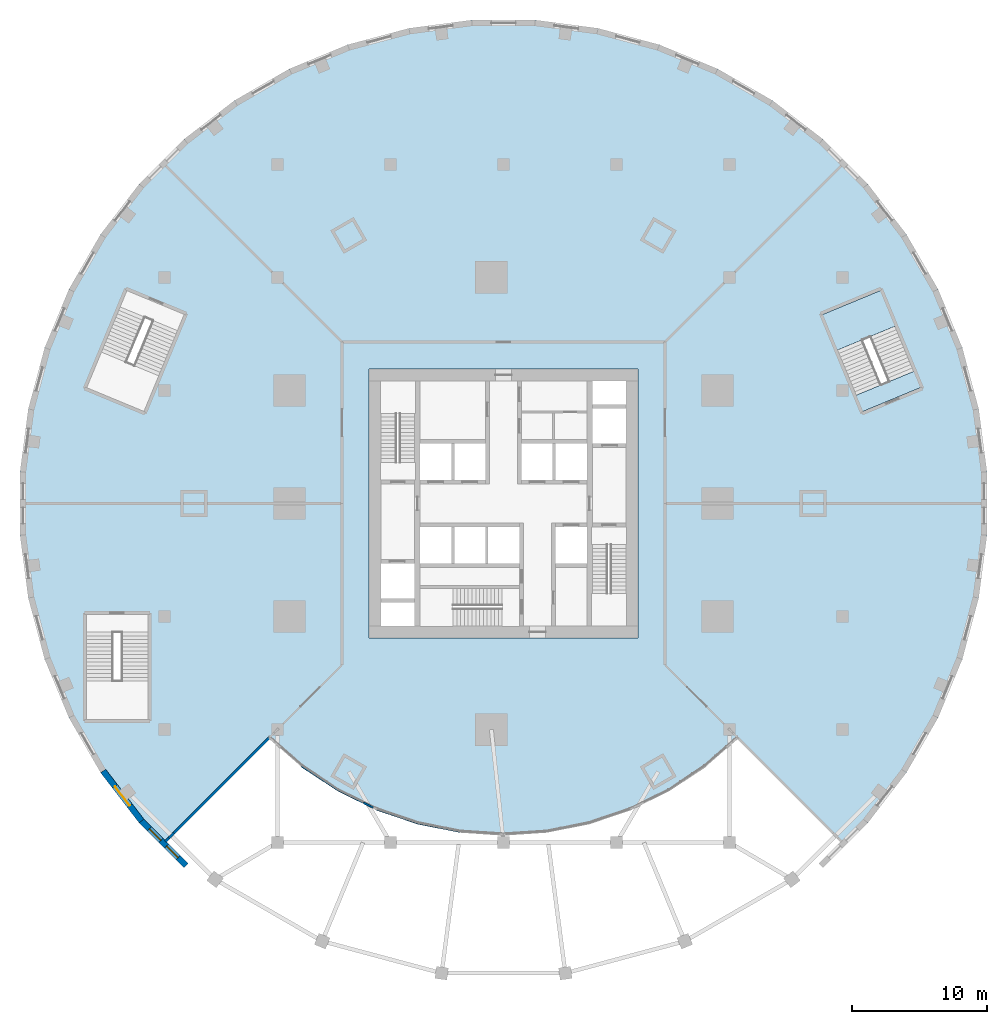
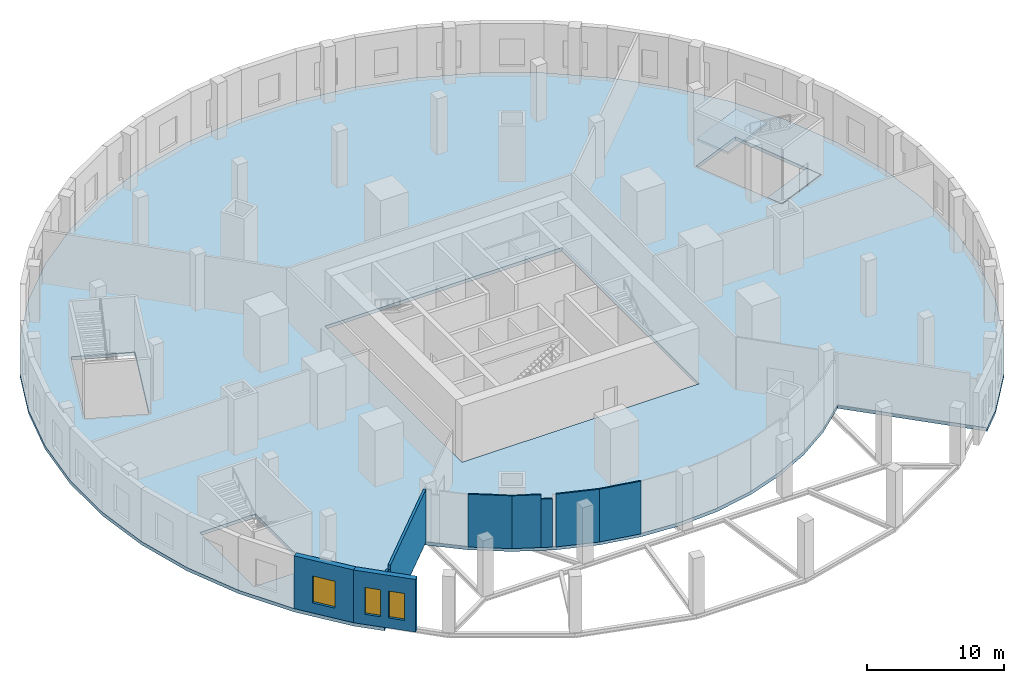
# One storey, part 2 of 11: 10 walls, 3 slabs, 3 windows, 3 openings, 1 element without a shape of its own.
"""IFC4 building model written with IfcOpenShell, lengths in metres."""

from ifc_helpers import new_model, si_unit, direction, frame, frame_2d, origin, place, context, subcontext, project, spatial, polyline, rectangle, outline, extrude, material, layer, layer_set, type_object, element, fill, aggregate, save


model = new_model("IFC4")

# Units and contexts
model_context = context("Model", 3, precision=1e-05, world=origin(), true_north=direction((0.0, 1.0)))
body_context = subcontext(model_context, "Body", "Model", "MODEL_VIEW")
ifc_project = project(units=[si_unit("LENGTHUNIT", "METRE"), si_unit("AREAUNIT", "SQUARE_METRE"), si_unit("VOLUMEUNIT", "CUBIC_METRE"), si_unit("PLANEANGLEUNIT", "RADIAN"), si_unit("MASSUNIT", "GRAM", prefix="KILO")], contexts=[model_context])

# Site, building, storey
site_placement = place(None, origin())
site = spatial("IfcSite", under=ifc_project, at=site_placement, CompositionType="ELEMENT")
building_placement = place(site_placement, origin())
building = spatial("IfcBuilding", under=site, at=building_placement, Name="Golbaran Civic Tower", CompositionType="ELEMENT")
storey_placement = place(building_placement, frame((0.0, 0.0, 11.0)))
storey = spatial("IfcBuildingStorey", under=building, at=storey_placement, Name="L02", CompositionType="ELEMENT", Elevation=11.0)

# Slab
ifc_material_1 = material(Name="Concrete C35/45", Category="concrete")
ifc_layer_1 = layer(ifc_material_1, 0.300048828125, Name="Concrete C35/45")
ifc_layer_set_1 = layer_set([ifc_layer_1], Name="Concrete C35/45")
slab_type_1 = type_object("IfcSlabType", Name="PODIUM FLOOR SLAB 300", PredefinedType="FLOOR", material=ifc_layer_set_1)
slab_1_placement = place(storey_placement, frame((0.0, 0.0, -0.300048828125)))
element("IfcSlab", 1, at=slab_1_placement, inside=storey, type_object=slab_type_1, Name="Podium floor slab L02", PredefinedType="FLOOR", context=body_context, shape_type="SweptSolid", body=[
    extrude(outline(polyline([(32.287353515625, -15.92236328125), (29.932861328125, -20.00048828125), (27.066162109375, -23.736328125), (25.4013671875, -25.4013671875), (17.394775390625, -17.394775390625), (14.9755859375, -19.5166015625), (12.300048828125, -21.30419921875), (9.4140625, -22.7275390625), (6.366943359375, -23.76171875), (3.2109375, -24.3896484375), (0.0, -24.60009765625), (-3.2109375, -24.3896484375), (-6.366943359375, -23.76171875), (-9.4140625, -22.7275390625), (-12.300048828125, -21.30419921875), (-14.9755859375, -19.5166015625), (-17.394775390625, -17.394775390625), (-25.4013671875, -25.4013671875), (-27.066162109375, -23.736328125), (-29.932861328125, -20.00048828125), (-32.287353515625, -15.92236328125), (-34.089599609375, -11.57177734375), (-35.308349609375, -7.023193359375), (-35.9228515625, -2.3544921875), (-35.9228515625, 2.3544921875), (-35.308349609375, 7.023193359375), (-34.089599609375, 11.57177734375), (-32.287353515625, 15.92236328125), (-29.932861328125, 20.00048828125), (-27.066162109375, 23.736328125), (-23.736328125, 27.066162109375), (-20.00048828125, 29.932861328125), (-15.92236328125, 32.287353515625), (-11.57177734375, 34.089599609375), (-7.023193359375, 35.308349609375), (-2.3544921875, 35.9228515625), (2.3544921875, 35.9228515625), (7.023193359375, 35.308349609375), (11.57177734375, 34.089599609375), (15.92236328125, 32.287353515625), (20.00048828125, 29.932861328125), (23.736328125, 27.066162109375), (27.066162109375, 23.736328125), (29.932861328125, 20.00048828125), (32.287353515625, 15.92236328125), (34.089599609375, 11.57177734375), (35.308349609375, 7.023193359375), (35.9228515625, 2.3544921875), (35.9228515625, -2.3544921875), (35.308349609375, -7.023193359375), (34.089599609375, -11.57177734375), (32.287353515625, -15.92236328125)]), holes=[polyline([(31.042724609375, 8.572021484375), (28.01171875, 15.88916015625), (23.651123046875, 14.082763671875), (26.681884765625, 6.765625), (31.042724609375, 8.572021484375)]), polyline([(10.0, -10.0), (10.0, 10.0), (-10.0, 10.0), (-10.0, -10.0), (10.0, -10.0)]), polyline([(-28.01171875, 15.88916015625), (-31.042724609375, 8.572021484375), (-26.681884765625, 6.765625), (-23.651123046875, 14.082763671875), (-28.01171875, 15.88916015625)]), polyline([(-31.06005859375, -16.110107421875), (-26.340087890625, -16.110107421875), (-26.340087890625, -8.18994140625), (-31.06005859375, -8.18994140625), (-31.06005859375, -16.110107421875)])]), origin(), (0.0, 0.0, 1.0), 0.300048828125),
])

# Stair, slab
stair_type = type_object("IfcStairType", Name="EXIT STAIR 4600 x 7800, 5000 RISE", PredefinedType="HALF_TURN_STAIR", material=ifc_material_1)
stair_placement = place(storey_placement, origin())
stair = element("IfcStair", 2, at=stair_placement, inside=storey, type_object=stair_type, Name="Stair P1 L02", PredefinedType="HALF_TURN_STAIR")
ifc_layer_2 = layer(ifc_material_1, 0.199951171875, Name="Concrete C35/45")
ifc_layer_set_2 = layer_set([ifc_layer_2], Name="Concrete C35/45")
slab_type_2 = type_object("IfcSlabType", Name="STAIR LANDING 200", PredefinedType="LANDING", material=ifc_layer_set_2)
slab_2_placement = place(storey_placement, frame((0.0, 0.0, 2.300048828125)))
slab_2 = element("IfcSlab", 3, at=slab_2_placement, type_object=slab_type_2, Name="ST46078-50 landing 1", PredefinedType="LANDING", context=body_context, shape_type="SweptSolid", body=[
    extrude(outline(polyline([(24.779541015625, 11.38427734375), (23.683349609375, 14.03125), (28.025390625, 15.829833984375), (29.121826171875, 13.182861328125), (24.779541015625, 11.38427734375)])), origin(), (0.0, 0.0, 1.0), 0.199951171875),
])
aggregate(stair, [slab_2])

# Slab
slab_3_placement = place(storey_placement, frame((0.0, 0.0, -0.199951171875)))
element("IfcSlab", 4, at=slab_3_placement, inside=storey, type_object=slab_type_2, Name="Stair P1 floor landing L02", PredefinedType="LANDING", context=body_context, shape_type="SweptSolid", body=[
    extrude(outline(polyline([(26.668212890625, 6.824951171875), (26.168701171875, 8.03076171875), (30.510986328125, 9.829345703125), (31.010498046875, 8.62353515625), (26.668212890625, 6.824951171875)])), origin(), (0.0, 0.0, 1.0), 0.199951171875),
])

# Walls
ifc_material_2 = material(Name="Glazed screen on steel framing", Category="steel")
ifc_layer_3 = layer(ifc_material_2, 0.1201171875, Name="Glazed screen on steel framing")
ifc_layer_set_3 = layer_set([ifc_layer_3], Name="Glazed screen on steel framing")
wall_type_1 = type_object("IfcWallType", Name="GLAZED SCREEN PARTITION 120", PredefinedType="PARTITIONING", material=ifc_layer_set_3)
wall_1_placement = place(storey_placement, frame((-14.97998046875, -19.52001953125, 0.0), z_axis=(0.0, 0.0, 1.0), x_axis=(0.832994734858, -0.553280915719, 0.0)))
element("IfcWall", 5, at=wall_1_placement, inside=storey, type_object=wall_type_1, Name="Podium partition L02", PredefinedType="PARTITIONING", context=body_context, shape_type="SweptSolid", body=[
    extrude(rectangle(XDim=3.21728515625, YDim=0.1201171875, at=frame_2d((1.608642578125, 0.0))), origin(), (0.0, 0.0, 1.0), 4.699951171875),
])
wall_2_placement = place(storey_placement, frame((-12.300048828125, -21.300048828125, 0.0), z_axis=(0.0, 0.0, 1.0), x_axis=(0.896913641042, -0.442205744551, 0.0)))
element("IfcWall", 6, at=wall_2_placement, inside=storey, type_object=wall_type_1, Name="Podium partition L02", PredefinedType="PARTITIONING", context=body_context, shape_type="SweptSolid", body=[
    extrude(rectangle(XDim=2.109130859375, YDim=0.1201171875, at=frame_2d((1.0546875, 0.0))), origin(), (0.0, 0.0, 1.0), 4.699951171875),
])
wall_3_placement = place(storey_placement, frame((-10.408447265625, -22.232666015625, 0.0), z_axis=(0.0, 0.0, 1.0), x_axis=(0.896921584296, -0.442189633103, 0.0)))
element("IfcWall", 7, at=wall_3_placement, inside=storey, type_object=wall_type_1, Name="Podium partition L02 under the beam over", PredefinedType="PARTITIONING", context=body_context, shape_type="SweptSolid", body=[
    extrude(rectangle(XDim=0.8369140625, YDim=0.1201171875, at=frame_2d((0.41845703125, 0.0))), origin(), (0.0, 0.0, 1.0), 4.300048828125),
])
wall_4_placement = place(storey_placement, frame((-9.419921875, -22.719970703125, 0.0), z_axis=(0.0, 0.0, 1.0), x_axis=(0.946800830057, -0.321820117773, 0.0)))
element("IfcWall", 8, at=wall_4_placement, inside=storey, type_object=wall_type_1, Name="Podium partition L02", PredefinedType="PARTITIONING", context=body_context, shape_type="SweptSolid", body=[
    extrude(rectangle(XDim=3.231689453125, YDim=0.1201171875, at=frame_2d((1.61572265625, 0.0))), origin(), (0.0, 0.0, 1.0), 4.699951171875),
])
wall_5_placement = place(storey_placement, frame((-6.360107421875, -23.760009765625, 0.0), z_axis=(0.0, 0.0, 1.0), x_axis=(0.98106754531, -0.193665876033, 0.0)))
element("IfcWall", 9, at=wall_5_placement, inside=storey, type_object=wall_type_1, Name="Podium partition L02", PredefinedType="PARTITIONING", context=body_context, shape_type="SweptSolid", body=[
    extrude(rectangle(XDim=3.20068359375, YDim=0.1201171875, at=frame_2d((1.600341796875, 0.0))), origin(), (0.0, 0.0, 1.0), 4.699951171875),
])
ifc_material_3 = material(Name="Concrete block, plastered", Category="concrete")
ifc_layer_4 = layer(ifc_material_3, 0.199951171875, Name="Concrete block, plastered")
ifc_layer_set_4 = layer_set([ifc_layer_4], Name="Concrete block, plastered")
wall_type_2 = type_object("IfcWallType", Name="PODIUM PARTITION 200", PredefinedType="PARTITIONING", material=ifc_layer_set_4)
wall_6_placement = place(storey_placement, frame((-24.486328125, -24.486328125, 0.0), z_axis=(0.0, 0.0, 1.0), x_axis=(0.707106781187, 0.707106781187, 0.0)))
element("IfcWall", 10, at=wall_6_placement, inside=storey, type_object=wall_type_2, Name="Podium partition L02", PredefinedType="PARTITIONING", context=body_context, shape_type="SweptSolid", body=[
    extrude(rectangle(XDim=10.021728515625, YDim=0.199951171875, at=frame_2d((5.0107421875, 0.0))), origin(), (0.0, 0.0, 1.0), 4.699951171875),
])
wall_7_placement = place(storey_placement, frame((-24.8681640625, -24.8681640625, 0.0), z_axis=(0.0, 0.0, 1.0), x_axis=(0.707106781187, 0.707106781187, 0.0)))
element("IfcWall", 11, at=wall_7_placement, inside=storey, type_object=wall_type_2, Name="Podium partition L02 under the beam over", PredefinedType="PARTITIONING", context=body_context, shape_type="SweptSolid", body=[
    extrude(rectangle(XDim=0.5400390625, YDim=0.199951171875, at=frame_2d((0.27001953125, 0.0))), origin(), (0.0, 0.0, 1.0), 4.300048828125),
])
wall_8_placement = place(storey_placement, frame((-25.1201171875, -25.1201171875, 0.0), z_axis=(0.0, 0.0, 1.0), x_axis=(0.707106781187, 0.707106781187, 0.0)))
element("IfcWall", 12, at=wall_8_placement, inside=storey, type_object=wall_type_2, Name="Podium partition L02 under the beam over", PredefinedType="PARTITIONING", context=body_context, shape_type="SweptSolid", body=[
    extrude(rectangle(XDim=0.356201171875, YDim=0.199951171875, at=frame_2d((0.17822265625, 0.0))), origin(), (0.0, 0.0, 1.0), 4.699951171875),
])

# Wall, opening, window
ifc_material_4 = material(Name="Terracotta brick", Category="masonry")
ifc_layer_5 = layer(ifc_material_4, 0.449951171875, Name="Terracotta brick")
ifc_layer_set_5 = layer_set([ifc_layer_5], Name="Terracotta brick")
wall_type_3 = type_object("IfcWallType", Name="TERRACOTTA BRICK FACADE WALL 450", PredefinedType="SOLIDWALL", material=ifc_layer_set_5)
wall_9_placement = place(storey_placement, frame((-29.745849609375, -19.87548828125, 0.0), z_axis=(0.0, 0.0, 1.0), x_axis=(0.608769916927, -0.79334682721, 0.0)))
wall_9 = element("IfcWall", 13, at=wall_9_placement, inside=storey, type_object=wall_type_3, Name="Podium wall L02 facet 29", PredefinedType="SOLIDWALL", context=body_context, shape_type="SweptSolid", body=[
    extrude(rectangle(XDim=4.6796875, YDim=0.449951171875, at=frame_2d((2.33984375, 0.0))), origin(), (0.0, 0.0, 1.0), 4.699951171875),
])
opening_1_placement = place(wall_9_placement, frame((1.439697265625, 0.0, 0.89990234375)))
opening_1 = element("IfcOpeningElement", 14, at=opening_1_placement, cuts=wall_9, Name="Opening L02.W32", PredefinedType="OPENING", context=body_context, shape_type="SweptSolid", body=[
    extrude(rectangle(XDim=1.800048828125, YDim=2.39990234375, at=frame_2d((0.89990234375, 1.199951171875))), frame((0.0, 0.23486328125, 0.0), z_axis=(0.0, -1.0, 0.0), x_axis=(1.0, 0.0, 0.0)), (0.0, 0.0, 1.0), 0.469970703125),
])
ifc_material_5 = material(Name="Aluminium frame, clear glass", Category="aluminium")
window_type_1 = type_object("IfcWindowType", Name="PODIUM WINDOW 1800x2400", PartitioningType="SINGLE_PANEL", PredefinedType="WINDOW", material=ifc_material_5)
window_1_placement = place(opening_1_placement, origin())
window_1 = element("IfcWindow", 15, at=window_1_placement, inside=storey, type_object=window_type_1, Name="Podium window L02 facet 29", OverallHeight=2.39990234375, OverallWidth=1.800048828125, PartitioningType="SINGLE_PANEL", PredefinedType="WINDOW", context=body_context, shape_type="SweptSolid", body=[
    extrude(rectangle(XDim=1.800048828125, YDim=2.39990234375, at=frame_2d((0.89990234375, 1.199951171875))), frame((0.0, 0.030029296875, 0.0), z_axis=(0.0, -1.0, 0.0), x_axis=(1.0, 0.0, 0.0)), (0.0, 0.0, 1.0), 0.06005859375),
])
fill(opening_1, window_1)

# Wall, openings, windows
wall_10_placement = place(storey_placement, frame((-26.89697265625, -23.588134765625, 0.0), z_axis=(0.0, 0.0, 1.0), x_axis=(0.707106781187, -0.707106781187, 0.0)))
wall_10 = element("IfcWall", 16, at=wall_10_placement, inside=storey, type_object=wall_type_3, Name="Podium wall L02 facet 30", PredefinedType="SOLIDWALL", context=body_context, shape_type="SweptSolid", body=[
    extrude(rectangle(XDim=4.679443359375, YDim=0.449951171875, at=frame_2d((2.33984375, 0.0))), origin(), (0.0, 0.0, 1.0), 4.699951171875),
])
opening_2_placement = place(wall_10_placement, frame((0.840087890625, 0.0, 0.89990234375)))
opening_2 = element("IfcOpeningElement", 17, at=opening_2_placement, cuts=wall_10, Name="Opening L02.W33", PredefinedType="OPENING", context=body_context, shape_type="SweptSolid", body=[
    extrude(rectangle(XDim=1.199951171875, YDim=2.39990234375, at=frame_2d((0.60009765625, 1.199951171875))), frame((0.0, 0.23486328125, 0.0), z_axis=(0.0, -1.0, 0.0), x_axis=(1.0, 0.0, 0.0)), (0.0, 0.0, 1.0), 0.469970703125),
])
opening_3_placement = place(wall_10_placement, frame((2.639892578125, 0.0, 0.89990234375)))
opening_3 = element("IfcOpeningElement", 18, at=opening_3_placement, cuts=wall_10, Name="Opening L02.W34", PredefinedType="OPENING", context=body_context, shape_type="SweptSolid", body=[
    extrude(rectangle(XDim=1.199951171875, YDim=2.39990234375, at=frame_2d((0.60009765625, 1.199951171875))), frame((0.0, 0.23486328125, 0.0), z_axis=(0.0, -1.0, 0.0), x_axis=(1.0, 0.0, 0.0)), (0.0, 0.0, 1.0), 0.469970703125),
])
window_type_2 = type_object("IfcWindowType", Name="PODIUM PAIRED WINDOW 1200x2400", PartitioningType="SINGLE_PANEL", PredefinedType="WINDOW", material=ifc_material_5)
window_2_placement = place(opening_2_placement, origin())
window_2 = element("IfcWindow", 19, at=window_2_placement, inside=storey, type_object=window_type_2, Name="Podium window L02 facet 30a", OverallHeight=2.39990234375, OverallWidth=1.199951171875, PartitioningType="SINGLE_PANEL", PredefinedType="WINDOW", context=body_context, shape_type="SweptSolid", body=[
    extrude(rectangle(XDim=1.199951171875, YDim=2.39990234375, at=frame_2d((0.60009765625, 1.199951171875))), frame((0.0, 0.030029296875, 0.0), z_axis=(0.0, -1.0, 0.0), x_axis=(1.0, 0.0, 0.0)), (0.0, 0.0, 1.0), 0.06005859375),
])
fill(opening_2, window_2)
window_3_placement = place(opening_3_placement, origin())
window_3 = element("IfcWindow", 20, at=window_3_placement, inside=storey, type_object=window_type_2, Name="Podium window L02 facet 30b", OverallHeight=2.39990234375, OverallWidth=1.199951171875, PartitioningType="SINGLE_PANEL", PredefinedType="WINDOW", context=body_context, shape_type="SweptSolid", body=[
    extrude(rectangle(XDim=1.199951171875, YDim=2.39990234375, at=frame_2d((0.60009765625, 1.199951171875))), frame((0.0, 0.030029296875, 0.0), z_axis=(0.0, -1.0, 0.0), x_axis=(1.0, 0.0, 0.0)), (0.0, 0.0, 1.0), 0.06005859375),
])
fill(opening_3, window_3)

save(model, "model.ifc")
